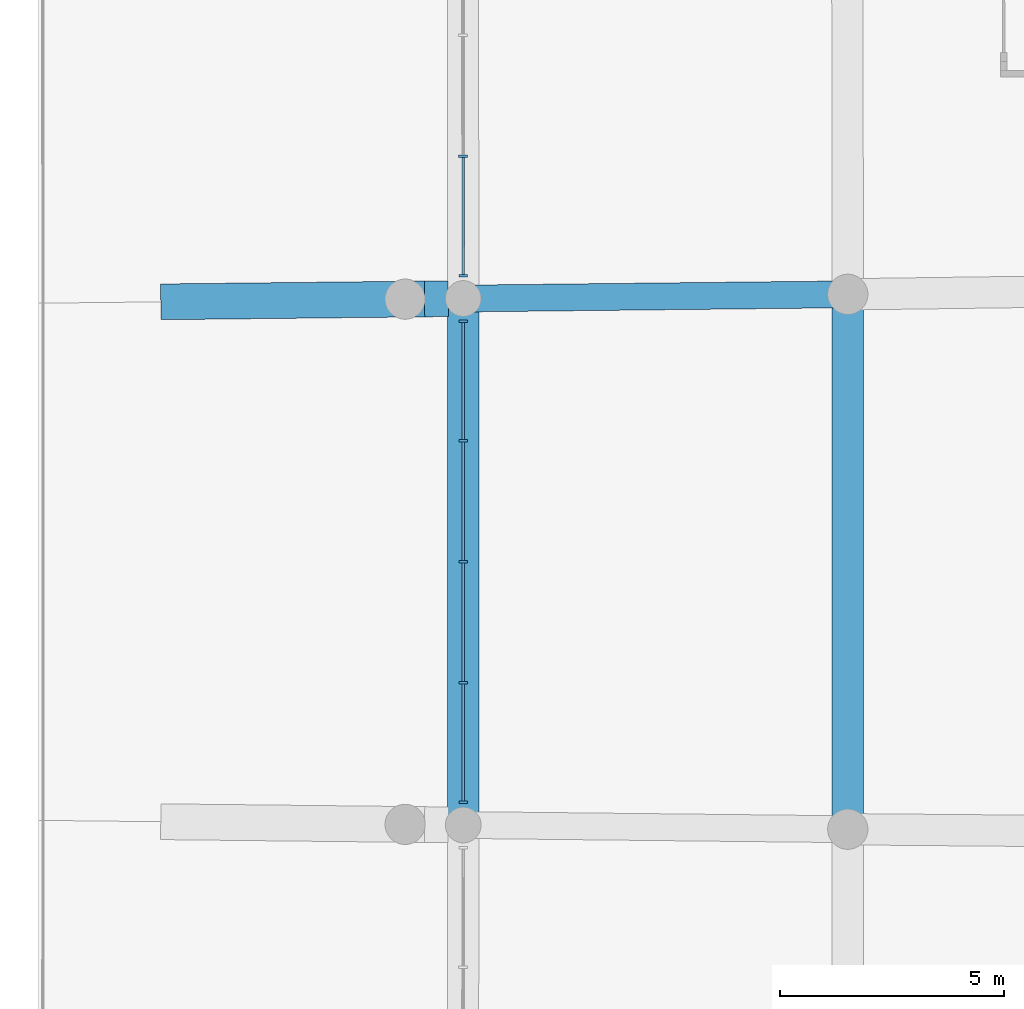
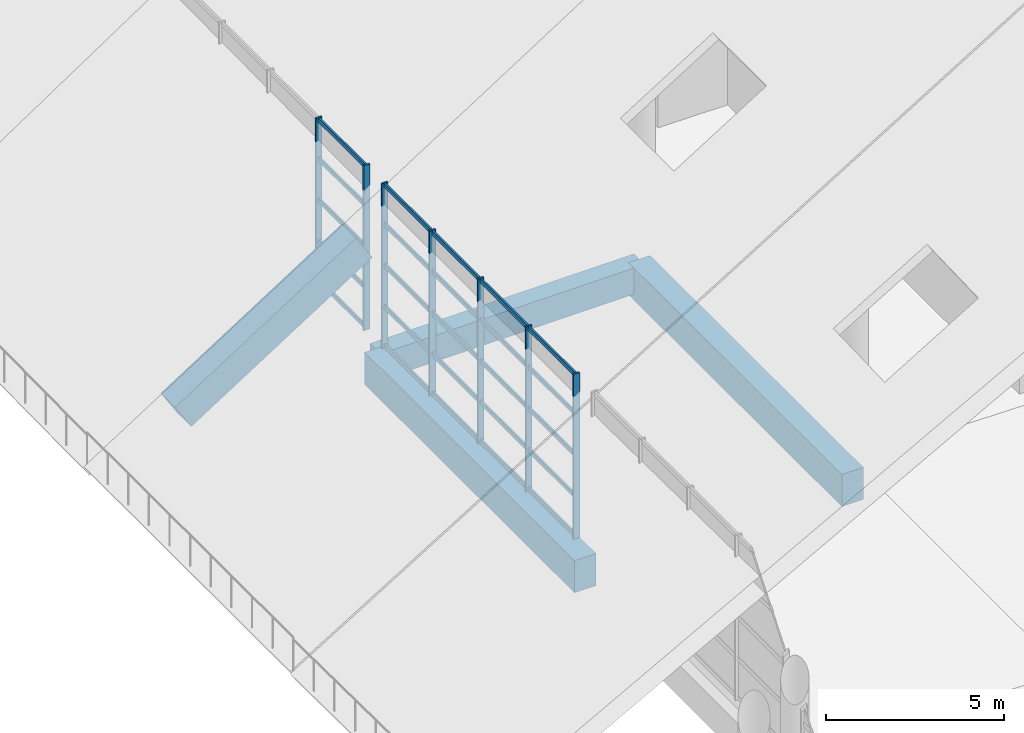
# One storey, part 43 of 249: 32 members, 4 beams, 2 elements without a shape of their own.
"""IFC4 building model written with IfcOpenShell, lengths in metres."""

from ifc_helpers import new_model, si_unit, direction, frame, origin, origin_2d, place, context, subcontext, project, spatial, rectangle, extrude, material, layer, layer_set, material_profile, profile_set, type_object, element, aggregate, save


model = new_model("IFC4")

# Units and contexts
model_context = context("Model", 3, precision=1e-05, world=origin(), true_north=direction((0.0, 1.0)))
body_context = subcontext(model_context, "Body", "Model", "MODEL_VIEW")
ifc_project = project(units=[si_unit("LENGTHUNIT", "METRE"), si_unit("AREAUNIT", "SQUARE_METRE"), si_unit("VOLUMEUNIT", "CUBIC_METRE"), si_unit("PLANEANGLEUNIT", "RADIAN"), si_unit("MASSUNIT", "GRAM", prefix="KILO")], contexts=[model_context])

# Site, building, storey
site_placement = place(None, origin())
site = spatial("IfcSite", under=ifc_project, at=site_placement, CompositionType="ELEMENT")
building_placement = place(site_placement, origin())
building = spatial("IfcBuilding", under=site, at=building_placement, Name="Meseta Stadium", CompositionType="ELEMENT")
storey_placement = place(building_placement, frame((0.0, 0.0, 12.0)))
storey = spatial("IfcBuildingStorey", under=building, at=storey_placement, Name="L02", CompositionType="ELEMENT", Elevation=12.0)

# Curtain wall, members
ifc_material_1 = material(Name="Aluminium", Category="aluminium")
ifc_layer = layer(ifc_material_1, 0.199951171875)
ifc_layer_set = layer_set([ifc_layer], Name="Suite glazing curtain wall")
curtain_wall_type = type_object("IfcCurtainWallType", Name="Suite glazing curtain wall", PredefinedType="NOTDEFINED", material=ifc_layer_set)
curtain_wall_1_placement = place(storey_placement, origin())
curtain_wall_1 = element("IfcCurtainWall", 1, at=curtain_wall_1_placement, inside=storey, type_object=curtain_wall_type, Name="Suite glazing bay 04", PredefinedType="NOTDEFINED")
ifc_material_2 = material(Name="Aluminium", Category="aluminium")
ifc_material_profile_1 = material_profile(ifc_material_2, rectangle(XDim=0.199951171875, YDim=0.06005859375, at=origin_2d()), Name="CW 200x60")
ifc_profile_set_1 = profile_set([ifc_material_profile_1], Name="Aluminium")
member_type_1 = type_object("IfcMemberType", Name="CW mullion 60x200", PredefinedType="MULLION", material=ifc_profile_set_1)
member_1_placement = place(storey_placement, frame((64.898681640625, -5.378173828125, 0.0), z_axis=(0.0, 0.0, 1.0), x_axis=(-1.0, 0.0, 0.0)))
member_1 = element("IfcMember", 2, at=member_1_placement, type_object=member_type_1, Name="CWS mullion 1", PredefinedType="MULLION", context=body_context, shape_type="SweptSolid", body=[
    extrude(rectangle(XDim=0.199951171875, YDim=0.06005859375, at=origin_2d()), origin(), (0.0, 0.0, 1.0), 5.64990234375),
])
member_2_placement = place(storey_placement, frame((64.898681640625, -2.7041015625, 0.0), z_axis=(0.0, 0.0, 1.0), x_axis=(-1.0, 0.0, 0.0)))
member_2 = element("IfcMember", 3, at=member_2_placement, type_object=member_type_1, Name="CWS mullion 2", PredefinedType="MULLION", context=body_context, shape_type="SweptSolid", body=[
    extrude(rectangle(XDim=0.199951171875, YDim=0.06005859375, at=origin_2d()), origin(), (0.0, 0.0, 1.0), 5.64990234375),
])
member_3_placement = place(storey_placement, frame((64.898681640625, 0.0, 0.0), z_axis=(0.0, 0.0, 1.0), x_axis=(-1.0, 0.0, 0.0)))
member_3 = element("IfcMember", 4, at=member_3_placement, type_object=member_type_1, Name="CWS mullion 3", PredefinedType="MULLION", context=body_context, shape_type="SweptSolid", body=[
    extrude(rectangle(XDim=0.199951171875, YDim=0.06005859375, at=origin_2d()), origin(), (0.0, 0.0, 1.0), 5.64990234375),
])
member_4_placement = place(storey_placement, frame((64.898681640625, 2.7041015625, 0.0), z_axis=(0.0, 0.0, 1.0), x_axis=(-1.0, 0.0, 0.0)))
member_4 = element("IfcMember", 5, at=member_4_placement, type_object=member_type_1, Name="CWS mullion 4", PredefinedType="MULLION", context=body_context, shape_type="SweptSolid", body=[
    extrude(rectangle(XDim=0.199951171875, YDim=0.06005859375, at=origin_2d()), origin(), (0.0, 0.0, 1.0), 5.64990234375),
])
member_5_placement = place(storey_placement, frame((64.898681640625, 5.378173828125, 0.0), z_axis=(0.0, 0.0, 1.0), x_axis=(-1.0, 0.0, 0.0)))
member_5 = element("IfcMember", 6, at=member_5_placement, type_object=member_type_1, Name="CWS mullion 5", PredefinedType="MULLION", context=body_context, shape_type="SweptSolid", body=[
    extrude(rectangle(XDim=0.199951171875, YDim=0.06005859375, at=origin_2d()), origin(), (0.0, 0.0, 1.0), 5.64990234375),
])

curtain_wall_2_placement = place(storey_placement, origin())
curtain_wall_2 = element("IfcCurtainWall", 7, at=curtain_wall_2_placement, inside=storey, type_object=curtain_wall_type, Name="Suite glazing bay 05", PredefinedType="NOTDEFINED")
member_6_placement = place(storey_placement, frame((64.89794921875, 6.39599609375, 0.0), z_axis=(0.0, 0.0, 1.0), x_axis=(-0.99999952434, -0.000975355927, 0.0)))
member_6 = element("IfcMember", 8, at=member_6_placement, type_object=member_type_1, Name="CWS mullion 1", PredefinedType="MULLION", context=body_context, shape_type="SweptSolid", body=[
    extrude(rectangle(XDim=0.199951171875, YDim=0.06005859375, at=origin_2d()), origin(), (0.0, 0.0, 1.0), 5.64990234375),
])
member_7_placement = place(storey_placement, frame((64.8955078125, 9.06982421875, 0.0), z_axis=(0.0, 0.0, 1.0), x_axis=(-0.99999952434, -0.000975355927, 0.0)))
member_7 = element("IfcMember", 9, at=member_7_placement, type_object=member_type_1, Name="CWS mullion 2", PredefinedType="MULLION", context=body_context, shape_type="SweptSolid", body=[
    extrude(rectangle(XDim=0.199951171875, YDim=0.06005859375, at=origin_2d()), origin(), (0.0, 0.0, 1.0), 5.64990234375),
])

# Member
ifc_material_3 = material(Name="Aluminium", Category="aluminium")
ifc_material_profile_2 = material_profile(ifc_material_3, rectangle(XDim=0.06005859375, YDim=0.14990234375, at=origin_2d()), Name="CW 60x150")
ifc_profile_set_2 = profile_set([ifc_material_profile_2], Name="Aluminium")
member_type_2 = type_object("IfcMemberType", Name="CW transom 60x150", PredefinedType="USERDEFINED", material=ifc_profile_set_2)
member_8_placement = place(storey_placement, frame((64.898681640625, -5.34814453125, 0.074951171875), z_axis=(0.0, 1.0, 0.0), x_axis=(-1.0, 0.0, 0.0)))
member_8 = element("IfcMember", 10, at=member_8_placement, type_object=member_type_2, Name="CWS transom 1.1", ObjectType="TRANSOM", PredefinedType="USERDEFINED", context=body_context, shape_type="SweptSolid", body=[
    extrude(rectangle(XDim=0.06005859375, YDim=0.14990234375, at=origin_2d()), origin(), (0.0, 0.0, 1.0), 2.614013671875),
])

member_9_placement = place(storey_placement, frame((64.898681640625, -5.34814453125, 1.41259765625), z_axis=(0.0, 1.0, 0.0), x_axis=(-1.0, 0.0, 0.0)))
member_9 = element("IfcMember", 11, at=member_9_placement, type_object=member_type_2, Name="CWS transom 1.2", ObjectType="TRANSOM", PredefinedType="USERDEFINED", context=body_context, shape_type="SweptSolid", body=[
    extrude(rectangle(XDim=0.06005859375, YDim=0.14990234375, at=origin_2d()), origin(), (0.0, 0.0, 1.0), 2.614013671875),
])

member_10_placement = place(storey_placement, frame((64.898681640625, -5.34814453125, 2.824951171875), z_axis=(0.0, 1.0, 0.0), x_axis=(-1.0, 0.0, 0.0)))
member_10 = element("IfcMember", 12, at=member_10_placement, type_object=member_type_2, Name="CWS transom 1.3", ObjectType="TRANSOM", PredefinedType="USERDEFINED", context=body_context, shape_type="SweptSolid", body=[
    extrude(rectangle(XDim=0.06005859375, YDim=0.14990234375, at=origin_2d()), origin(), (0.0, 0.0, 1.0), 2.614013671875),
])

member_11_placement = place(storey_placement, frame((64.898681640625, -5.34814453125, 4.237548828125), z_axis=(0.0, 1.0, 0.0), x_axis=(-1.0, 0.0, 0.0)))
member_11 = element("IfcMember", 13, at=member_11_placement, type_object=member_type_2, Name="CWS transom 1.4", ObjectType="TRANSOM", PredefinedType="USERDEFINED", context=body_context, shape_type="SweptSolid", body=[
    extrude(rectangle(XDim=0.06005859375, YDim=0.14990234375, at=origin_2d()), origin(), (0.0, 0.0, 1.0), 2.614013671875),
])

member_12_placement = place(storey_placement, frame((64.898681640625, -5.34814453125, 5.574951171875), z_axis=(0.0, 1.0, 0.0), x_axis=(-1.0, 0.0, 0.0)))
member_12 = element("IfcMember", 14, at=member_12_placement, type_object=member_type_2, Name="CWS transom 1.5", ObjectType="TRANSOM", PredefinedType="USERDEFINED", context=body_context, shape_type="SweptSolid", body=[
    extrude(rectangle(XDim=0.06005859375, YDim=0.14990234375, at=origin_2d()), origin(), (0.0, 0.0, 1.0), 2.614013671875),
])

member_13_placement = place(storey_placement, frame((64.898681640625, -2.674072265625, 0.074951171875), z_axis=(0.0, 1.0, 0.0), x_axis=(-1.0, 0.0, 0.0)))
member_13 = element("IfcMember", 15, at=member_13_placement, type_object=member_type_2, Name="CWS transom 2.1", ObjectType="TRANSOM", PredefinedType="USERDEFINED", context=body_context, shape_type="SweptSolid", body=[
    extrude(rectangle(XDim=0.06005859375, YDim=0.14990234375, at=origin_2d()), origin(), (0.0, 0.0, 1.0), 2.64404296875),
])

member_14_placement = place(storey_placement, frame((64.898681640625, -2.674072265625, 1.41259765625), z_axis=(0.0, 1.0, 0.0), x_axis=(-1.0, 0.0, 0.0)))
member_14 = element("IfcMember", 16, at=member_14_placement, type_object=member_type_2, Name="CWS transom 2.2", ObjectType="TRANSOM", PredefinedType="USERDEFINED", context=body_context, shape_type="SweptSolid", body=[
    extrude(rectangle(XDim=0.06005859375, YDim=0.14990234375, at=origin_2d()), origin(), (0.0, 0.0, 1.0), 2.64404296875),
])

member_15_placement = place(storey_placement, frame((64.898681640625, -2.674072265625, 2.824951171875), z_axis=(0.0, 1.0, 0.0), x_axis=(-1.0, 0.0, 0.0)))
member_15 = element("IfcMember", 17, at=member_15_placement, type_object=member_type_2, Name="CWS transom 2.3", ObjectType="TRANSOM", PredefinedType="USERDEFINED", context=body_context, shape_type="SweptSolid", body=[
    extrude(rectangle(XDim=0.06005859375, YDim=0.14990234375, at=origin_2d()), origin(), (0.0, 0.0, 1.0), 2.64404296875),
])

member_16_placement = place(storey_placement, frame((64.898681640625, -2.674072265625, 4.237548828125), z_axis=(0.0, 1.0, 0.0), x_axis=(-1.0, 0.0, 0.0)))
member_16 = element("IfcMember", 18, at=member_16_placement, type_object=member_type_2, Name="CWS transom 2.4", ObjectType="TRANSOM", PredefinedType="USERDEFINED", context=body_context, shape_type="SweptSolid", body=[
    extrude(rectangle(XDim=0.06005859375, YDim=0.14990234375, at=origin_2d()), origin(), (0.0, 0.0, 1.0), 2.64404296875),
])

member_17_placement = place(storey_placement, frame((64.898681640625, -2.674072265625, 5.574951171875), z_axis=(0.0, 1.0, 0.0), x_axis=(-1.0, 0.0, 0.0)))
member_17 = element("IfcMember", 19, at=member_17_placement, type_object=member_type_2, Name="CWS transom 2.5", ObjectType="TRANSOM", PredefinedType="USERDEFINED", context=body_context, shape_type="SweptSolid", body=[
    extrude(rectangle(XDim=0.06005859375, YDim=0.14990234375, at=origin_2d()), origin(), (0.0, 0.0, 1.0), 2.64404296875),
])

member_18_placement = place(storey_placement, frame((64.898681640625, 0.030029296875, 0.074951171875), z_axis=(0.0, 1.0, 0.0), x_axis=(-1.0, 0.0, 0.0)))
member_18 = element("IfcMember", 20, at=member_18_placement, type_object=member_type_2, Name="CWS transom 3.1", ObjectType="TRANSOM", PredefinedType="USERDEFINED", context=body_context, shape_type="SweptSolid", body=[
    extrude(rectangle(XDim=0.06005859375, YDim=0.14990234375, at=origin_2d()), origin(), (0.0, 0.0, 1.0), 2.64404296875),
])

member_19_placement = place(storey_placement, frame((64.898681640625, 0.030029296875, 1.41259765625), z_axis=(0.0, 1.0, 0.0), x_axis=(-1.0, 0.0, 0.0)))
member_19 = element("IfcMember", 21, at=member_19_placement, type_object=member_type_2, Name="CWS transom 3.2", ObjectType="TRANSOM", PredefinedType="USERDEFINED", context=body_context, shape_type="SweptSolid", body=[
    extrude(rectangle(XDim=0.06005859375, YDim=0.14990234375, at=origin_2d()), origin(), (0.0, 0.0, 1.0), 2.64404296875),
])

member_20_placement = place(storey_placement, frame((64.898681640625, 0.030029296875, 2.824951171875), z_axis=(0.0, 1.0, 0.0), x_axis=(-1.0, 0.0, 0.0)))
member_20 = element("IfcMember", 22, at=member_20_placement, type_object=member_type_2, Name="CWS transom 3.3", ObjectType="TRANSOM", PredefinedType="USERDEFINED", context=body_context, shape_type="SweptSolid", body=[
    extrude(rectangle(XDim=0.06005859375, YDim=0.14990234375, at=origin_2d()), origin(), (0.0, 0.0, 1.0), 2.64404296875),
])

member_21_placement = place(storey_placement, frame((64.898681640625, 0.030029296875, 4.237548828125), z_axis=(0.0, 1.0, 0.0), x_axis=(-1.0, 0.0, 0.0)))
member_21 = element("IfcMember", 23, at=member_21_placement, type_object=member_type_2, Name="CWS transom 3.4", ObjectType="TRANSOM", PredefinedType="USERDEFINED", context=body_context, shape_type="SweptSolid", body=[
    extrude(rectangle(XDim=0.06005859375, YDim=0.14990234375, at=origin_2d()), origin(), (0.0, 0.0, 1.0), 2.64404296875),
])

member_22_placement = place(storey_placement, frame((64.898681640625, 0.030029296875, 5.574951171875), z_axis=(0.0, 1.0, 0.0), x_axis=(-1.0, 0.0, 0.0)))
member_22 = element("IfcMember", 24, at=member_22_placement, type_object=member_type_2, Name="CWS transom 3.5", ObjectType="TRANSOM", PredefinedType="USERDEFINED", context=body_context, shape_type="SweptSolid", body=[
    extrude(rectangle(XDim=0.06005859375, YDim=0.14990234375, at=origin_2d()), origin(), (0.0, 0.0, 1.0), 2.64404296875),
])

member_23_placement = place(storey_placement, frame((64.898681640625, 2.734130859375, 0.074951171875), z_axis=(0.0, 1.0, 0.0), x_axis=(-1.0, 0.0, 0.0)))
member_23 = element("IfcMember", 25, at=member_23_placement, type_object=member_type_2, Name="CWS transom 4.1", ObjectType="TRANSOM", PredefinedType="USERDEFINED", context=body_context, shape_type="SweptSolid", body=[
    extrude(rectangle(XDim=0.06005859375, YDim=0.14990234375, at=origin_2d()), origin(), (0.0, 0.0, 1.0), 2.614013671875),
])

member_24_placement = place(storey_placement, frame((64.898681640625, 2.734130859375, 1.41259765625), z_axis=(0.0, 1.0, 0.0), x_axis=(-1.0, 0.0, 0.0)))
member_24 = element("IfcMember", 26, at=member_24_placement, type_object=member_type_2, Name="CWS transom 4.2", ObjectType="TRANSOM", PredefinedType="USERDEFINED", context=body_context, shape_type="SweptSolid", body=[
    extrude(rectangle(XDim=0.06005859375, YDim=0.14990234375, at=origin_2d()), origin(), (0.0, 0.0, 1.0), 2.614013671875),
])

member_25_placement = place(storey_placement, frame((64.898681640625, 2.734130859375, 2.824951171875), z_axis=(0.0, 1.0, 0.0), x_axis=(-1.0, 0.0, 0.0)))
member_25 = element("IfcMember", 27, at=member_25_placement, type_object=member_type_2, Name="CWS transom 4.3", ObjectType="TRANSOM", PredefinedType="USERDEFINED", context=body_context, shape_type="SweptSolid", body=[
    extrude(rectangle(XDim=0.06005859375, YDim=0.14990234375, at=origin_2d()), origin(), (0.0, 0.0, 1.0), 2.614013671875),
])

member_26_placement = place(storey_placement, frame((64.898681640625, 2.734130859375, 4.237548828125), z_axis=(0.0, 1.0, 0.0), x_axis=(-1.0, 0.0, 0.0)))
member_26 = element("IfcMember", 28, at=member_26_placement, type_object=member_type_2, Name="CWS transom 4.4", ObjectType="TRANSOM", PredefinedType="USERDEFINED", context=body_context, shape_type="SweptSolid", body=[
    extrude(rectangle(XDim=0.06005859375, YDim=0.14990234375, at=origin_2d()), origin(), (0.0, 0.0, 1.0), 2.614013671875),
])

member_27_placement = place(storey_placement, frame((64.898681640625, 2.734130859375, 5.574951171875), z_axis=(0.0, 1.0, 0.0), x_axis=(-1.0, 0.0, 0.0)))
member_27 = element("IfcMember", 29, at=member_27_placement, type_object=member_type_2, Name="CWS transom 4.5", ObjectType="TRANSOM", PredefinedType="USERDEFINED", context=body_context, shape_type="SweptSolid", body=[
    extrude(rectangle(XDim=0.06005859375, YDim=0.14990234375, at=origin_2d()), origin(), (0.0, 0.0, 1.0), 2.614013671875),
])

aggregate(curtain_wall_1, [member_1, member_2, member_3, member_4, member_5, member_8, member_9, member_10, member_11, member_12, member_13, member_14, member_15, member_16, member_17, member_18, member_19, member_20, member_21, member_22, member_23, member_24, member_25, member_26, member_27])

member_28_placement = place(storey_placement, frame((64.89794921875, 6.426025390625, 0.074951171875), z_axis=(-0.000934055262, 0.99999956377, 0.0), x_axis=(-0.99999956377, -0.000934055262, 0.0)))
member_28 = element("IfcMember", 30, at=member_28_placement, type_object=member_type_2, Name="CWS transom 1.1", ObjectType="TRANSOM", PredefinedType="USERDEFINED", context=body_context, shape_type="SweptSolid", body=[
    extrude(rectangle(XDim=0.06005859375, YDim=0.14990234375, at=origin_2d()), origin(), (0.0, 0.0, 1.0), 2.61376953125),
])

member_29_placement = place(storey_placement, frame((64.89794921875, 6.426025390625, 1.41259765625), z_axis=(-0.000934055262, 0.99999956377, 0.0), x_axis=(-0.99999956377, -0.000934055262, 0.0)))
member_29 = element("IfcMember", 31, at=member_29_placement, type_object=member_type_2, Name="CWS transom 1.2", ObjectType="TRANSOM", PredefinedType="USERDEFINED", context=body_context, shape_type="SweptSolid", body=[
    extrude(rectangle(XDim=0.06005859375, YDim=0.14990234375, at=origin_2d()), origin(), (0.0, 0.0, 1.0), 2.61376953125),
])

member_30_placement = place(storey_placement, frame((64.89794921875, 6.426025390625, 2.824951171875), z_axis=(-0.000934055262, 0.99999956377, 0.0), x_axis=(-0.99999956377, -0.000934055262, 0.0)))
member_30 = element("IfcMember", 32, at=member_30_placement, type_object=member_type_2, Name="CWS transom 1.3", ObjectType="TRANSOM", PredefinedType="USERDEFINED", context=body_context, shape_type="SweptSolid", body=[
    extrude(rectangle(XDim=0.06005859375, YDim=0.14990234375, at=origin_2d()), origin(), (0.0, 0.0, 1.0), 2.61376953125),
])

member_31_placement = place(storey_placement, frame((64.89794921875, 6.426025390625, 4.237548828125), z_axis=(-0.000934055262, 0.99999956377, 0.0), x_axis=(-0.99999956377, -0.000934055262, 0.0)))
member_31 = element("IfcMember", 33, at=member_31_placement, type_object=member_type_2, Name="CWS transom 1.4", ObjectType="TRANSOM", PredefinedType="USERDEFINED", context=body_context, shape_type="SweptSolid", body=[
    extrude(rectangle(XDim=0.06005859375, YDim=0.14990234375, at=origin_2d()), origin(), (0.0, 0.0, 1.0), 2.61376953125),
])

member_32_placement = place(storey_placement, frame((64.89794921875, 6.426025390625, 5.574951171875), z_axis=(-0.000934055262, 0.99999956377, 0.0), x_axis=(-0.99999956377, -0.000934055262, 0.0)))
member_32 = element("IfcMember", 34, at=member_32_placement, type_object=member_type_2, Name="CWS transom 1.5", ObjectType="TRANSOM", PredefinedType="USERDEFINED", context=body_context, shape_type="SweptSolid", body=[
    extrude(rectangle(XDim=0.06005859375, YDim=0.14990234375, at=origin_2d()), origin(), (0.0, 0.0, 1.0), 2.61376953125),
])

aggregate(curtain_wall_2, [member_6, member_7, member_28, member_29, member_30, member_31, member_32])

# Beams
ifc_material_4 = material(Name="Concrete C40/50", Category="concrete")
ifc_material_profile_3 = material_profile(ifc_material_4, rectangle(XDim=0.60009765625, YDim=0.89990234375, at=origin_2d()), Name="RC 600x900")
ifc_profile_set_3 = profile_set([ifc_material_profile_3], Name="Concrete C40/50")
beam_type_1 = type_object("IfcBeamType", Name="RC beam 600x900", PredefinedType="BEAM", material=ifc_profile_set_3)
beam_1_placement = place(storey_placement, frame((64.898681640625, 5.886962890625, -0.800048828125), z_axis=(0.999939958323, 0.010958090563, 0.0), x_axis=(-0.010958090563, 0.999939958323, 0.0)))
element("IfcBeam", 35, at=beam_1_placement, inside=storey, type_object=beam_type_1, Name="L02 radial beam frame 5 line D to E", PredefinedType="BEAM", context=body_context, shape_type="SweptSolid", body=[
    extrude(rectangle(XDim=0.60009765625, YDim=0.89990234375, at=origin_2d()), origin(), (0.0, 0.0, 1.0), 8.599853515625),
])
ifc_material_5 = material(Name="Concrete C40/50", Category="concrete")
ifc_material_profile_4 = material_profile(ifc_material_5, rectangle(XDim=0.699951171875, YDim=1.10009765625, at=origin_2d()), Name="RC 700x1100")
ifc_profile_set_4 = profile_set([ifc_material_profile_4], Name="Concrete C40/50")
beam_type_2 = type_object("IfcBeamType", Name="RC beam 700x1100", PredefinedType="BEAM", material=ifc_profile_set_4)
beam_2_placement = place(storey_placement, frame((64.898681640625, -5.886962890625, -0.89990234375), z_axis=(0.0, 1.0, 0.0), x_axis=(-1.0, 0.0, 0.0)))
element("IfcBeam", 36, at=beam_2_placement, inside=storey, type_object=beam_type_2, Name="L02 ring beam frame 4 line D", PredefinedType="BEAM", context=body_context, shape_type="SweptSolid", body=[
    extrude(rectangle(XDim=0.699951171875, YDim=1.10009765625, at=origin_2d()), origin(), (0.0, 0.0, 1.0), 11.77392578125),
])
beam_3_placement = place(storey_placement, frame((73.498046875, -5.981201171875, -0.89990234375), z_axis=(0.0, 1.0, 0.0), x_axis=(-1.0, 0.0, 0.0)))
element("IfcBeam", 37, at=beam_3_placement, inside=storey, type_object=beam_type_2, Name="L02 ring beam frame 4 line E", PredefinedType="BEAM", context=body_context, shape_type="SweptSolid", body=[
    extrude(rectangle(XDim=0.699951171875, YDim=1.10009765625, at=origin_2d()), origin(), (0.0, 0.0, 1.0), 11.96240234375),
])
ifc_material_6 = material(Name="Concrete C40/50", Category="concrete")
ifc_material_profile_5 = material_profile(ifc_material_6, rectangle(XDim=0.800048828125, YDim=1.0, at=origin_2d()), Name="RC 800x1000")
ifc_profile_set_5 = profile_set([ifc_material_profile_5], Name="Concrete C40/50")
beam_type_3 = type_object("IfcBeamType", Name="RC raker upper front 800x1000", PredefinedType="USERDEFINED", material=ifc_profile_set_5)
beam_4_placement = place(storey_placement, frame((58.39892578125, 5.81591796875, -0.12744140625), z_axis=(0.847963610779, 0.009299000904, 0.529972870416), x_axis=(-0.010965614198, 0.999939875845, 0.0)))
element("IfcBeam", 38, at=beam_4_placement, inside=storey, type_object=beam_type_3, Name="Raker upper front frame 5 upper tier", ObjectType="RAKER", PredefinedType="USERDEFINED", context=body_context, shape_type="SweptSolid", body=[
    extrude(rectangle(XDim=0.800048828125, YDim=1.0, at=origin_2d()), origin(), (0.0, 0.0, 1.0), 6.95751953125),
])

save(model, "model.ifc")
